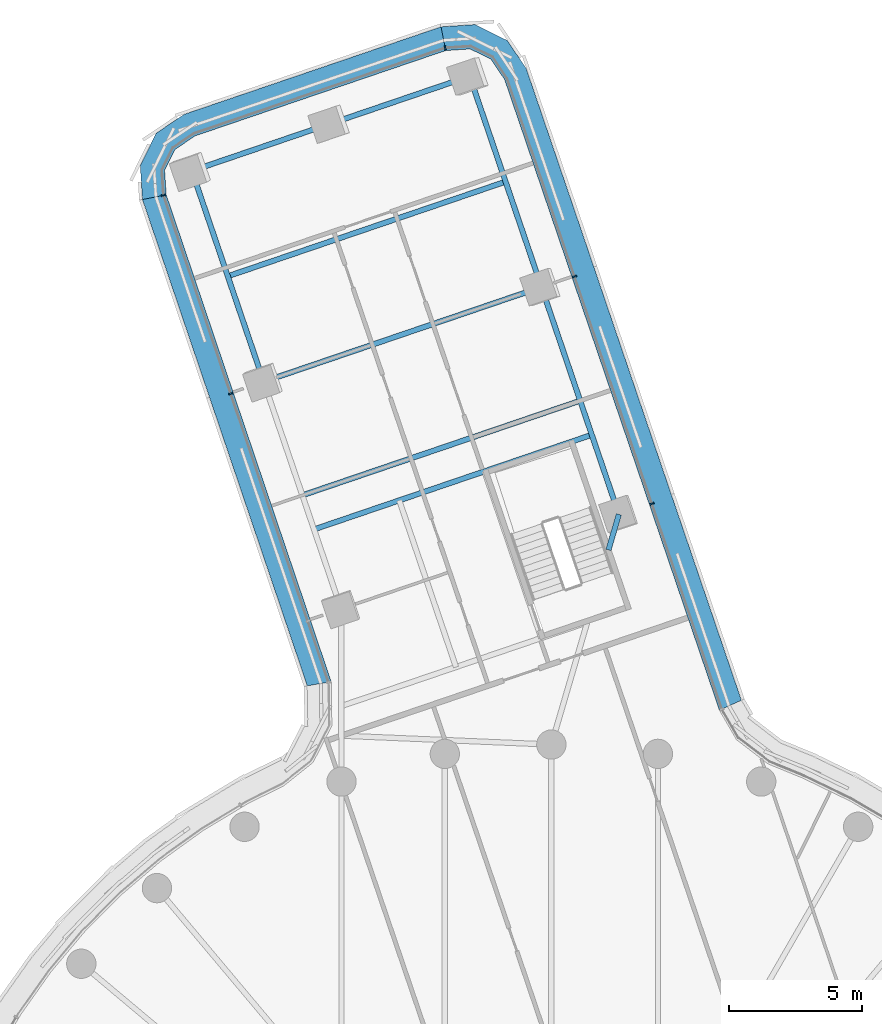
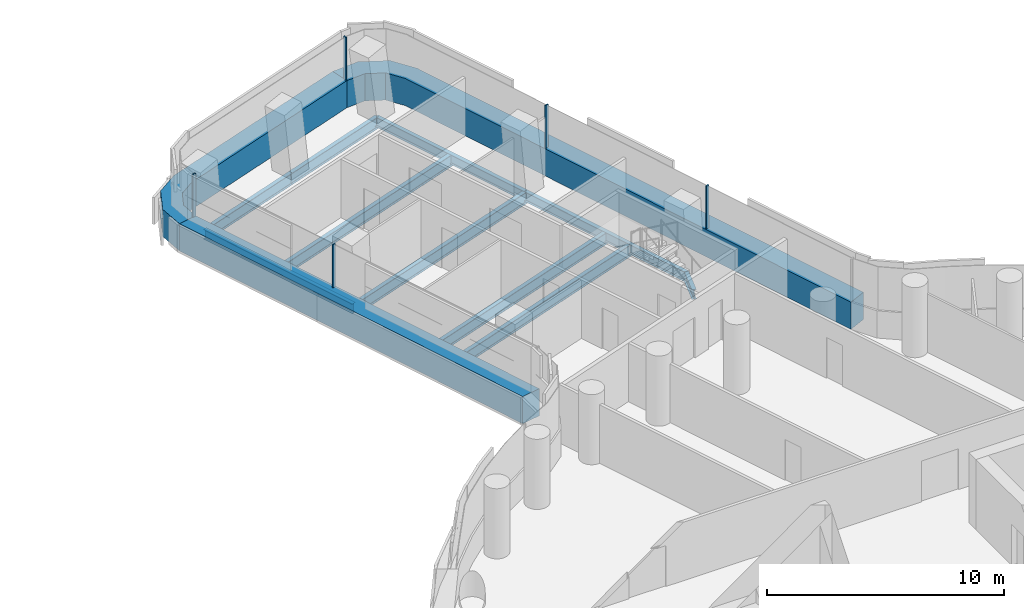
# One storey, part 14 of 29: 10 beams, 8 members, 3 elements without a shape of their own.
"""IFC4 building model written with IfcOpenShell, lengths in metres."""

from ifc_helpers import new_model, si_unit, direction, frame, origin, origin_2d, place, context, subcontext, project, spatial, polyline, rectangle, i_section, outline, extrude, material, layer, layer_set, material_profile, profile_set, type_object, element, aggregate, save


model = new_model("IFC4")

# Units and contexts
model_context = context("Model", 3, precision=1e-05, world=origin(), true_north=direction((0.0, 1.0)))
body_context = subcontext(model_context, "Body", "Model", "MODEL_VIEW")
ifc_project = project(units=[si_unit("LENGTHUNIT", "METRE"), si_unit("AREAUNIT", "SQUARE_METRE"), si_unit("VOLUMEUNIT", "CUBIC_METRE"), si_unit("PLANEANGLEUNIT", "RADIAN"), si_unit("MASSUNIT", "GRAM", prefix="KILO")], contexts=[model_context])

# Site, building, storey
site_placement = place(None, origin())
site = spatial("IfcSite", under=ifc_project, at=site_placement, CompositionType="ELEMENT")
building_placement = place(site_placement, origin())
building = spatial("IfcBuilding", under=site, at=building_placement, Name="Tamarind Cross Interchange Tower", CompositionType="ELEMENT")
storey_placement = place(building_placement, frame((0.0, 0.0, 102.25)))
storey = spatial("IfcBuildingStorey", under=building, at=storey_placement, Name="L24", CompositionType="ELEMENT", Elevation=102.25)

# Beams
ifc_material_1 = material(Name="Steel Q355B", Category="steel")
ifc_material_profile_1 = material_profile(ifc_material_1, i_section(OverallWidth=0.198974609375, OverallDepth=0.49609375, WebThickness=0.009033203125, FlangeThickness=0.013916015625, FilletRadius=0.012939453125, at=origin_2d()), Name="HN 496x199x9x14")
ifc_profile_set_1 = profile_set([ifc_material_profile_1], Name="Steel Q355B")
beam_type_1 = type_object("IfcBeamType", Name="Composite beam HN 496x199x9x14 Q355B", PredefinedType="BEAM", material=ifc_profile_set_1)
beam_1_placement = place(storey_placement, frame((-3.061767578125, 48.05126953125, -0.387939453125), z_axis=(0.322389266222, -0.946607184119, 0.0), x_axis=(0.946607184119, 0.322389266222, 0.0)))
element("IfcBeam", 1, at=beam_1_placement, inside=storey, type_object=beam_type_1, Name="Beam N-edgeem5", PredefinedType="BEAM", context=body_context, shape_type="SweptSolid", body=[
    extrude(i_section(OverallWidth=0.198974609375, OverallDepth=0.49609375, WebThickness=0.009033203125, FlangeThickness=0.013916015625, FilletRadius=0.012939453125, at=origin_2d()), origin(), (0.0, 0.0, 1.0), 8.34765625),
])
beam_2_placement = place(storey_placement, frame((-0.37060546875, 40.1494140625, -0.387939453125), z_axis=(0.322373446849, -0.946612571629, 0.0), x_axis=(0.946612571629, 0.322373446849, 0.0)))
element("IfcBeam", 2, at=beam_2_placement, inside=storey, type_object=beam_type_1, Name="Beam N-edgeem6", PredefinedType="BEAM", context=body_context, shape_type="SweptSolid", body=[
    extrude(i_section(OverallWidth=0.198974609375, OverallDepth=0.49609375, WebThickness=0.009033203125, FlangeThickness=0.013916015625, FilletRadius=0.012939453125, at=origin_2d()), origin(), (0.0, 0.0, 1.0), 9.0),
])
beam_3_placement = place(storey_placement, frame((-13.474365234375, 44.505126953125, -0.387939453125), z_axis=(0.322363058667, -0.946616109311, 0.0), x_axis=(0.946616109311, 0.322363058667, 0.0)))
element("IfcBeam", 3, at=beam_3_placement, inside=storey, type_object=beam_type_1, Name="Beam N-edgeep2", PredefinedType="BEAM", context=body_context, shape_type="SweptSolid", body=[
    extrude(i_section(OverallWidth=0.198974609375, OverallDepth=0.49609375, WebThickness=0.009033203125, FlangeThickness=0.013916015625, FilletRadius=0.012939453125, at=origin_2d()), origin(), (0.0, 0.0, 1.0), 8.347412109375),
])
beam_4_placement = place(storey_placement, frame((2.53076171875, 31.6298828125, -0.387939453125), z_axis=(-0.281490825603, -0.959563919237, 0.0), x_axis=(0.959563919237, -0.281490825603, 0.0)))
element("IfcBeam", 4, at=beam_4_placement, inside=storey, type_object=beam_type_1, Name="Beam N-linkemt0", PredefinedType="BEAM", context=body_context, shape_type="SweptSolid", body=[
    extrude(i_section(OverallWidth=0.198974609375, OverallDepth=0.49609375, WebThickness=0.009033203125, FlangeThickness=0.013916015625, FilletRadius=0.012939453125, at=origin_2d()), origin(), (0.0, 0.0, 1.0), 1.389404296875),
])
ifc_material_profile_2 = material_profile(ifc_material_1, i_section(OverallWidth=0.199951171875, OverallDepth=0.60009765625, WebThickness=0.010986328125, FlangeThickness=0.01708984375, FilletRadius=0.012939453125, at=origin_2d()), Name="HN 600x200x11x17")
ifc_profile_set_2 = profile_set([ifc_material_profile_2], Name="Steel Q355B")
beam_type_2 = type_object("IfcBeamType", Name="Composite beam HN 600x200x11x17 Q355B", PredefinedType="BEAM", material=ifc_profile_set_2)
for number, where, z_axis, x_axis, name in (
    (5, (-3.061767578125, 48.05126953125, -0.43994140625), (-0.946617054323, -0.322360283634, 0.0), (0.322360283634, -0.946617054323, 0.0), "Beam N-tip0"),
    (6, (-8.26806640625, 46.2783203125, -0.43994140625), (-0.946603507991, -0.322400059955, 0.0), (0.322400059955, -0.946603507991, 0.0), "Beam N-tip1"),
):
    element("IfcBeam", number, at=place(storey_placement, frame(where, z_axis=z_axis, x_axis=x_axis)), inside=storey, type_object=beam_type_2, Name=name, PredefinedType="BEAM", context=body_context, shape_type="SweptSolid", body=[
        extrude(i_section(OverallWidth=0.199951171875, OverallDepth=0.60009765625, WebThickness=0.010986328125, FlangeThickness=0.01708984375, FilletRadius=0.012939453125, at=origin_2d()), origin(), (0.0, 0.0, 1.0), 5.5),
    ])
for number, where, z_axis, x_axis, name in (
    (7, (1.51513671875, 34.61181640625, -0.43994140625), (-0.946610281318, -0.322380172008, 0.0), (0.322380172008, -0.946610281318, 0.0), "Beam N-x334"),
    (8, (-0.37060546875, 40.1494140625, -0.43994140625), (-0.946612587933, -0.322373398976, 0.0), (0.322373398976, -0.946612587933, 0.0), "Beam N-x393"),
    (9, (1.080078125, 35.8896484375, -0.43994140625), (-0.946612587933, -0.322373398976, 0.0), (0.322373398976, -0.946612587933, 0.0), "Beam N-x348"),
    (10, (-1.716064453125, 44.100341796875, -0.43994140625), (-0.946612587933, -0.322373398976, 0.0), (0.322373398976, -0.946612587933, 0.0), "Beam N-x435"),
):
    element("IfcBeam", number, at=place(storey_placement, frame(where, z_axis=z_axis, x_axis=x_axis)), inside=storey, type_object=beam_type_2, Name=name, PredefinedType="BEAM", context=body_context, shape_type="SweptSolid", body=[
        extrude(i_section(OverallWidth=0.199951171875, OverallDepth=0.60009765625, WebThickness=0.010986328125, FlangeThickness=0.01708984375, FilletRadius=0.012939453125, at=origin_2d()), origin(), (0.0, 0.0, 1.0), 11.0),
    ])

# Curtain wall, member
ifc_material_2 = material(Name="Aluminium 6063-T6", Category="aluminium")
ifc_layer = layer(ifc_material_2, 0.159912109375)
ifc_layer_set = layer_set([ifc_layer], Name="Aluminium 6063-T6")
curtain_wall_type = type_object("IfcCurtainWallType", Name="Office curtain wall, 9.0 m bays", PredefinedType="NOTDEFINED", material=ifc_layer_set)
curtain_wall_1_placement = place(storey_placement, origin())
curtain_wall_1 = element("IfcCurtainWall", 11, at=curtain_wall_1_placement, inside=storey, type_object=curtain_wall_type, Name="CWS-L24-11", PredefinedType="NOTDEFINED")
ifc_material_3 = material(Name="Aluminium and insulated spandrel panel", Category="aluminium")
member_type_1 = type_object("IfcMemberType", Name="Floor-edge blade transom", PredefinedType="USERDEFINED", material=ifc_material_3)
member_1_placement = place(storey_placement, origin())
member_1 = element("IfcMember", 12, at=member_1_placement, type_object=member_type_1, Name="CWT-L24-11", ObjectType="TRANSOM", PredefinedType="USERDEFINED", context=body_context, shape_type="SweptSolid", body=[
    extrude(outline(polyline([(6.2998046875, 24.28466796875), (-1.751708984375, 47.927490234375), (-2.26123046875, 48.68798828125), (-3.0458984375, 49.07421875), (-3.959228515625, 49.013427734375), (-4.13720703125, 49.903564453125), (-2.864990234375, 49.988037109375), (-1.6474609375, 49.38916015625), (-0.93798828125, 48.329833984375), (7.123046875, 24.659423828125), (6.2998046875, 24.28466796875)])), origin(), (0.0, 0.0, 1.0), 1.39990234375),
])

curtain_wall_2_placement = place(storey_placement, origin())
curtain_wall_2 = element("IfcCurtainWall", 13, at=curtain_wall_2_placement, inside=storey, type_object=curtain_wall_type, Name="CWS-L24-12", PredefinedType="NOTDEFINED")
member_2_placement = place(storey_placement, origin())
member_2 = element("IfcMember", 14, at=member_2_placement, type_object=member_type_1, Name="CWT-L24-12", ObjectType="TRANSOM", PredefinedType="USERDEFINED", context=body_context, shape_type="SweptSolid", body=[
    extrude(outline(polyline([(-3.959228515625, 49.013427734375), (-13.3505859375, 45.815185546875), (-14.111083984375, 45.305908203125), (-14.4970703125, 44.52099609375), (-14.4365234375, 43.607421875), (-15.32666015625, 43.43017578125), (-15.4111328125, 44.701904296875), (-14.812255859375, 45.91943359375), (-13.7529296875, 46.62890625), (-4.13720703125, 49.903564453125), (-3.959228515625, 49.013427734375)])), origin(), (0.0, 0.0, 1.0), 1.39990234375),
])

curtain_wall_3_placement = place(storey_placement, origin())
curtain_wall_3 = element("IfcCurtainWall", 15, at=curtain_wall_3_placement, inside=storey, type_object=curtain_wall_type, Name="CWS-L24-13", PredefinedType="NOTDEFINED")
member_3_placement = place(storey_placement, origin())
member_3 = element("IfcMember", 16, at=member_3_placement, type_object=member_type_1, Name="CWT-L24-13", ObjectType="TRANSOM", PredefinedType="USERDEFINED", context=body_context, shape_type="SweptSolid", body=[
    extrude(outline(polyline([(-14.4365234375, 43.607421875), (-8.251220703125, 25.35595703125), (-9.149169921875, 25.201416015625), (-15.32666015625, 43.43017578125), (-14.4365234375, 43.607421875)])), origin(), (0.0, 0.0, 1.0), 1.39990234375),
])

# Member
ifc_material_profile_3 = material_profile(ifc_material_2, rectangle(XDim=0.06005859375, YDim=0.159912109375, at=origin_2d()), Name="Mullion CW1")
ifc_profile_set_3 = profile_set([ifc_material_profile_3], Name="Aluminium 6063-T6")
member_type_2 = type_object("IfcMemberType", Name="Mullion CW1", PredefinedType="MULLION", material=ifc_profile_set_3)
member_4_placement = place(storey_placement, frame((3.768310546875, 32.0283203125, 1.39990234375), z_axis=(0.0, 0.0, 1.0), x_axis=(-0.322371434957, 0.946613256786, 0.0)))
member_4 = element("IfcMember", 17, at=member_4_placement, type_object=member_type_2, Name="CWM-L24-11-01", PredefinedType="MULLION", context=body_context, shape_type="SweptSolid", body=[
    extrude(rectangle(XDim=0.06005859375, YDim=0.159912109375, at=origin_2d()), origin(), (0.0, 0.0, 1.0), 2.210205078125),
])

member_5_placement = place(storey_placement, frame((0.86767578125, 40.545654296875, 1.39990234375), z_axis=(0.0, 0.0, 1.0), x_axis=(-0.322371434957, 0.946613256786, 0.0)))
member_5 = element("IfcMember", 18, at=member_5_placement, type_object=member_type_2, Name="CWM-L24-11-02", PredefinedType="MULLION", context=body_context, shape_type="SweptSolid", body=[
    extrude(rectangle(XDim=0.06005859375, YDim=0.159912109375, at=origin_2d()), origin(), (0.0, 0.0, 1.0), 2.210205078125),
])

aggregate(curtain_wall_1, [member_4, member_5, member_1])

member_6_placement = place(storey_placement, frame((-3.97900390625, 49.1123046875, 1.39990234375), z_axis=(0.0, 0.0, 1.0), x_axis=(-0.980592765035, -0.196055678729, 0.0)))
member_6 = element("IfcMember", 19, at=member_6_placement, type_object=member_type_2, Name="CWM-L24-12-00", PredefinedType="MULLION", context=body_context, shape_type="SweptSolid", body=[
    extrude(rectangle(XDim=0.06005859375, YDim=0.159912109375, at=origin_2d()), origin(), (0.0, 0.0, 1.0), 2.210205078125),
])

aggregate(curtain_wall_2, [member_6, member_2])

member_7_placement = place(storey_placement, frame((-14.535400390625, 43.587890625, 1.39990234375), z_axis=(0.0, 0.0, 1.0), x_axis=(0.195324396001, -0.980738691154, 0.0)))
member_7 = element("IfcMember", 20, at=member_7_placement, type_object=member_type_2, Name="CWM-L24-13-00", PredefinedType="MULLION", context=body_context, shape_type="SweptSolid", body=[
    extrude(rectangle(XDim=0.06005859375, YDim=0.159912109375, at=origin_2d()), origin(), (0.0, 0.0, 1.0), 2.210205078125),
])

member_8_placement = place(storey_placement, frame((-12.015869140625, 36.1533203125, 1.39990234375), z_axis=(0.0, 0.0, 1.0), x_axis=(0.320959297445, -0.947092988773, 0.0)))
member_8 = element("IfcMember", 21, at=member_8_placement, type_object=member_type_2, Name="CWM-L24-13-01", PredefinedType="MULLION", context=body_context, shape_type="SweptSolid", body=[
    extrude(rectangle(XDim=0.06005859375, YDim=0.159912109375, at=origin_2d()), origin(), (0.0, 0.0, 1.0), 2.210205078125),
])

aggregate(curtain_wall_3, [member_7, member_8, member_3])

save(model, "model.ifc")
